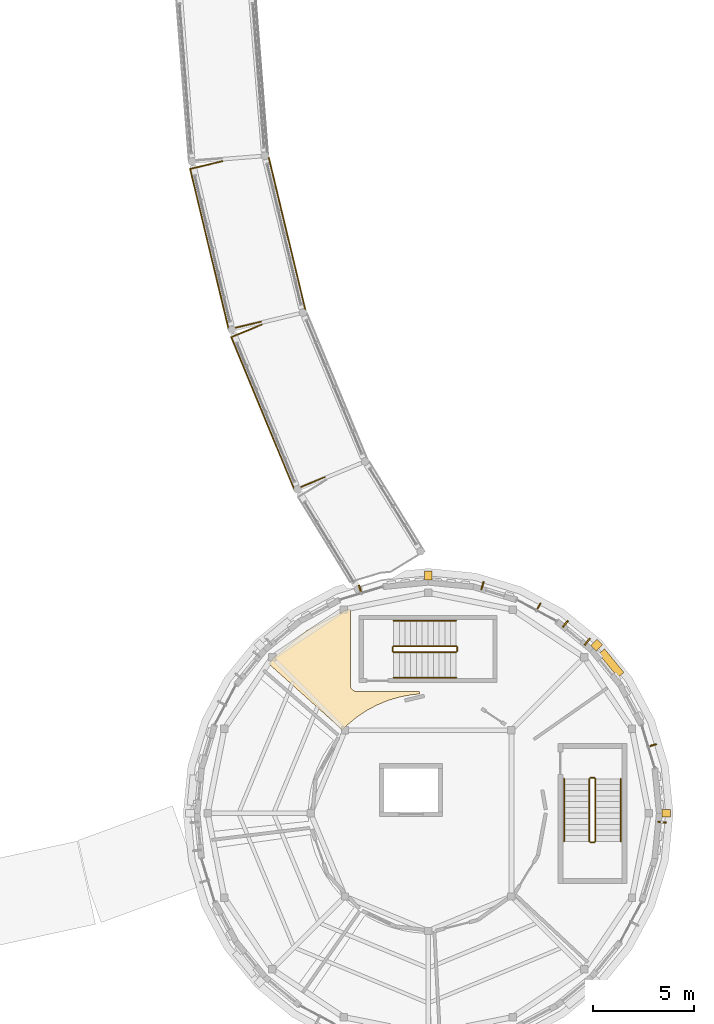
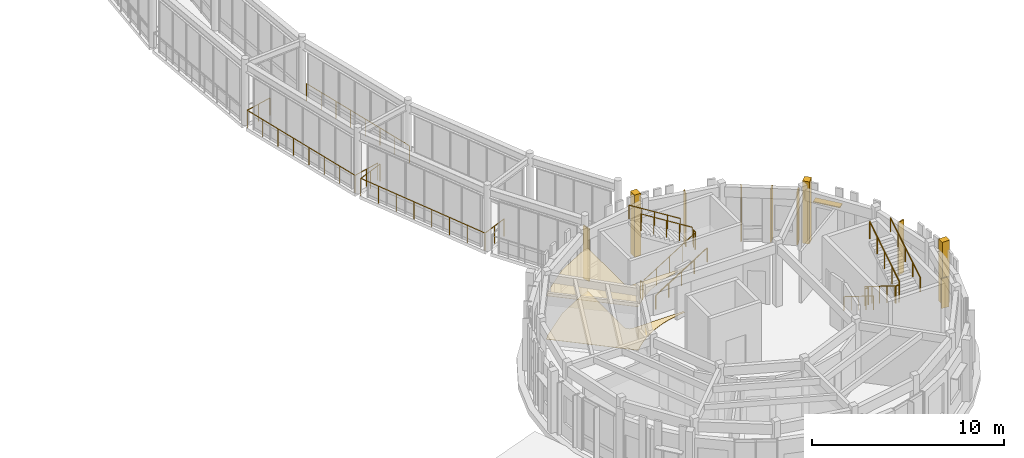
# One storey, part 77 of 80: 15 railings, 8 shading devices, 5 coverings.
"""IFC4 building model written with IfcOpenShell, lengths in metres."""

from ifc_helpers import new_model, si_unit, direction, frame, origin, origin_2d, place, context, subcontext, project, spatial, polyline, rectangle, circle, outline, extrude, material, layer, layer_set, type_object, element, save


model = new_model("IFC4")

# Units and contexts
model_context = context("Model", 3, precision=1e-05, world=origin(), true_north=direction((0.0, 1.0)))
body_context = subcontext(model_context, "Body", "Model", "MODEL_VIEW")
ifc_project = project(units=[si_unit("LENGTHUNIT", "METRE"), si_unit("AREAUNIT", "SQUARE_METRE"), si_unit("VOLUMEUNIT", "CUBIC_METRE"), si_unit("PLANEANGLEUNIT", "RADIAN"), si_unit("MASSUNIT", "GRAM", prefix="KILO")], contexts=[model_context])

# Site, building, storey
site_placement = place(None, origin())
site = spatial("IfcSite", under=ifc_project, at=site_placement, CompositionType="ELEMENT")
building_placement = place(site_placement, origin())
building = spatial("IfcBuilding", under=site, at=building_placement, Name="Aldenvaro Health Centre", CompositionType="ELEMENT")
storey_placement = place(building_placement, frame((0.0, 0.0, 4.550048828125)))
storey = spatial("IfcBuildingStorey", under=building, at=storey_placement, Name="L01", CompositionType="ELEMENT", Elevation=4.550048828125)

# Coverings
ifc_material_1 = material(Name="Antimicrobial Mineral Fibre Ceiling")
ifc_layer_1 = layer(ifc_material_1, 0.01806640625, Name="Antimicrobial Mineral Fibre Ceiling")
ifc_layer_set_1 = layer_set([ifc_layer_1], Name="Antimicrobial Mineral Fibre Ceiling")
covering_type_1 = type_object("IfcCoveringType", Name="COV-CLG-ACT18", PredefinedType="CEILING", material=ifc_layer_set_1)
covering_1_placement = place(storey_placement, frame((0.0, 0.0, 2.75)))
element("IfcCovering", 1, at=covering_1_placement, inside=storey, type_object=covering_type_1, Name="D6-L01-R01 Suspended Ceiling", PredefinedType="CEILING", context=body_context, shape_type="SweptSolid", body=[
    extrude(outline(polyline([(153.722900390625, 24.35791015625), (153.698974609375, 24.35498046875), (153.136962890625, 24.25), (153.114013671875, 24.2451171875), (152.56494140625, 24.083984375), (152.54296875, 24.075927734375), (152.012939453125, 23.861083984375), (151.990966796875, 23.85107421875), (151.487060546875, 23.583984375), (151.466064453125, 23.571044921875), (150.989990234375, 23.2548828125), (150.970947265625, 23.239990234375), (150.530029296875, 22.876953125), (150.511962890625, 22.861083984375), (150.27001953125, 22.617919921875), (146.631103515625, 25.883056640625), (146.85009765625, 26.14990234375), (148.489990234375, 27.49609375), (150.360107421875, 28.4951171875), (150.659912109375, 28.5859375), (150.659912109375, 24.830078125), (150.659912109375, 24.818115234375), (150.660888671875, 24.81005859375), (150.6630859375, 24.787109375), (150.6640625, 24.779052734375), (150.6689453125, 24.756103515625), (150.6708984375, 24.748046875), (150.677001953125, 24.72607421875), (150.679931640625, 24.718994140625), (150.68896484375, 24.697021484375), (150.69189453125, 24.68994140625), (150.7041015625, 24.6689453125), (150.7080078125, 24.662109375), (150.720947265625, 24.64306640625), (150.72509765625, 24.635986328125), (150.739990234375, 24.617919921875), (150.74609375, 24.612060546875), (150.761962890625, 24.595947265625), (150.76806640625, 24.590087890625), (150.785888671875, 24.574951171875), (150.79296875, 24.571044921875), (150.81201171875, 24.55810546875), (150.819091796875, 24.553955078125), (150.840087890625, 24.5419921875), (150.846923828125, 24.5390625), (150.868896484375, 24.530029296875), (150.8759765625, 24.527099609375), (150.89794921875, 24.52099609375), (150.906005859375, 24.51904296875), (150.928955078125, 24.513916015625), (150.93701171875, 24.512939453125), (150.9599609375, 24.510986328125), (150.968017578125, 24.510009765625), (150.97998046875, 24.510009765625), (154.06005859375, 24.510009765625), (154.06494140625, 24.386962890625), (153.722900390625, 24.35791015625)])), origin(), (0.0, 0.0, 1.0), 0.01806640625),
])
ifc_material_2 = material(Name="Honed Sonoran Buff Limestone", Category="masonry")
ifc_layer_2 = layer(ifc_material_2, 0.280029296875, Name="Honed Sonoran Buff Limestone", Category="masonry")
ifc_layer_set_2 = layer_set([ifc_layer_2], Name="Honed Sonoran Buff Limestone")
covering_type_2 = type_object("IfcCoveringType", Name="COV-CRN-STN", PredefinedType="CLADDING", material=ifc_layer_set_2)
for number, where, z_axis, x_axis, name in (
    (2, (166.239990234375, 18.5, -0.00048828125), (0.0, 0.0, 1.0), (1.0, 0.0, 0.0), "D6 L01 Engaged Classical Limestone Pilaster 01"),
    (3, (154.5, 30.239990234375, -0.00048828125), (0.0, 0.0, 1.0), (0.0, 1.0, 0.0), "D6 L01 Engaged Classical Limestone Pilaster 13"),
    (4, (162.801025390625, 26.801025390625, -0.00048828125), (0.0, 0.0, 1.0), (0.707106781187, 0.707106781187, 0.0), "D6 L01 Engaged Classical Limestone Pilaster 15"),
):
    element("IfcCovering", number, at=place(storey_placement, frame(where, z_axis=z_axis, x_axis=x_axis)), inside=storey, type_object=covering_type_2, Name=name, PredefinedType="CLADDING", context=body_context, shape_type="SweptSolid", body=[
        extrude(rectangle(XDim=0.43994140625, YDim=0.3798828125, at=origin_2d()), origin(), (0.0, 0.0, 1.0), 3.955078125),
    ])
ifc_material_3 = material(Name="Seamless Homogeneous Sheet Vinyl")
ifc_layer_3 = layer(ifc_material_3, 0.013916015625, Name="Seamless Homogeneous Sheet Vinyl")
ifc_layer_set_3 = layer_set([ifc_layer_3], Name="Seamless Homogeneous Sheet Vinyl")
covering_type_3 = type_object("IfcCoveringType", Name="COV-FLR-VNL14", PredefinedType="FLOORING", material=ifc_layer_set_3)
covering_2_placement = place(storey_placement, origin())
element("IfcCovering", 5, at=covering_2_placement, inside=storey, type_object=covering_type_3, Name="D6-L01-R01 Flooring", PredefinedType="FLOORING", context=body_context, shape_type="SweptSolid", body=[
    extrude(outline(polyline([(153.722900390625, 24.35791015625), (153.698974609375, 24.35498046875), (153.136962890625, 24.25), (153.114013671875, 24.2451171875), (152.56494140625, 24.083984375), (152.54296875, 24.075927734375), (152.012939453125, 23.861083984375), (151.990966796875, 23.85107421875), (151.487060546875, 23.583984375), (151.466064453125, 23.571044921875), (150.989990234375, 23.2548828125), (150.970947265625, 23.239990234375), (150.530029296875, 22.876953125), (150.511962890625, 22.861083984375), (150.27001953125, 22.617919921875), (146.631103515625, 25.883056640625), (146.85009765625, 26.14990234375), (148.489990234375, 27.49609375), (150.360107421875, 28.4951171875), (150.659912109375, 28.5859375), (150.659912109375, 24.830078125), (150.659912109375, 24.818115234375), (150.660888671875, 24.81005859375), (150.6630859375, 24.787109375), (150.6640625, 24.779052734375), (150.6689453125, 24.756103515625), (150.6708984375, 24.748046875), (150.677001953125, 24.72607421875), (150.679931640625, 24.718994140625), (150.68896484375, 24.697021484375), (150.69189453125, 24.68994140625), (150.7041015625, 24.6689453125), (150.7080078125, 24.662109375), (150.720947265625, 24.64306640625), (150.72509765625, 24.635986328125), (150.739990234375, 24.617919921875), (150.74609375, 24.612060546875), (150.761962890625, 24.595947265625), (150.76806640625, 24.590087890625), (150.785888671875, 24.574951171875), (150.79296875, 24.571044921875), (150.81201171875, 24.55810546875), (150.819091796875, 24.553955078125), (150.840087890625, 24.5419921875), (150.846923828125, 24.5390625), (150.868896484375, 24.530029296875), (150.8759765625, 24.527099609375), (150.89794921875, 24.52099609375), (150.906005859375, 24.51904296875), (150.928955078125, 24.513916015625), (150.93701171875, 24.512939453125), (150.9599609375, 24.510986328125), (150.968017578125, 24.510009765625), (150.97998046875, 24.510009765625), (154.06005859375, 24.510009765625), (154.06494140625, 24.386962890625), (153.722900390625, 24.35791015625)])), origin(), (0.0, 0.0, 1.0), 0.013916015625),
])

# Railings
ifc_material_4 = material(Name="Painted Architectural Steel", Category="steel")
railing_type_1 = type_object("IfcRailingType", Name="RL-BAL-110", PredefinedType="GUARDRAIL", material=ifc_material_4)
railing_1_placement = place(storey_placement, frame((146.2451171875, 42.75, 0.0)))
element("IfcRailing", 6, at=railing_1_placement, inside=storey, type_object=railing_type_1, Name="East Curved Garden Colonnade Arc 6 L01 edge guardrail 1", PredefinedType="GUARDRAIL", context=body_context, shape_type="SweptSolid", body=[
    extrude(circle(Radius=0.02392578125, at=origin_2d()), frame((0.0, 0.0, 1.09619140625), z_axis=(-0.972392746849, -0.233350264358, 0.0), x_axis=(0.233350264358, -0.972392746849, 0.0)), (0.0, 0.0, 1.0), 1.6279296875),
    extrude(circle(Radius=0.02392578125, at=origin_2d()), frame((-1.5830078125, -0.3798828125, 1.09619140625), z_axis=(-0.233610086319, 0.972330359276, 0.0), x_axis=(-0.972330359276, -0.233610086319, 0.0)), (0.0, 0.0, 1.0), 8.137939453125),
    extrude(circle(Radius=0.02392578125, at=origin_2d()), frame((-3.484130859375, 7.532958984375, 1.09619140625), z_axis=(0.972358708738, 0.233492058838, 0.0), x_axis=(-0.233492058838, 0.972358708738, 0.0)), (0.0, 0.0, 1.0), 1.6279296875),
    extrude(circle(Radius=0.02099609375, at=origin_2d()), origin(), (0.0, 0.0, 1.0), 1.072021484375),
    extrude(circle(Radius=0.02099609375, at=origin_2d()), frame((-0.79150390625, -0.18994140625, 0.0)), (0.0, 0.0, 1.0), 1.072021484375),
    extrude(circle(Radius=0.02099609375, at=origin_2d()), frame((-1.5830078125, -0.3798828125, 0.0)), (0.0, 0.0, 1.0), 1.072021484375),
    extrude(circle(Radius=0.02099609375, at=origin_2d()), frame((-1.8544921875, 0.75048828125, 0.0)), (0.0, 0.0, 1.0), 1.072021484375),
    extrude(circle(Radius=0.02099609375, at=origin_2d()), frame((-2.126220703125, 1.880859375, 0.0)), (0.0, 0.0, 1.0), 1.072021484375),
    extrude(circle(Radius=0.02099609375, at=origin_2d()), frame((-2.397705078125, 3.01123046875, 0.0)), (0.0, 0.0, 1.0), 1.072021484375),
    extrude(circle(Radius=0.02099609375, at=origin_2d()), frame((-2.66943359375, 4.141845703125, 0.0)), (0.0, 0.0, 1.0), 1.072021484375),
    extrude(circle(Radius=0.02099609375, at=origin_2d()), frame((-2.94091796875, 5.272216796875, 0.0)), (0.0, 0.0, 1.0), 1.072021484375),
    extrude(circle(Radius=0.02099609375, at=origin_2d()), frame((-3.212646484375, 6.402587890625, 0.0)), (0.0, 0.0, 1.0), 1.072021484375),
    extrude(circle(Radius=0.02099609375, at=origin_2d()), frame((-3.484130859375, 7.532958984375, 0.0)), (0.0, 0.0, 1.0), 1.072021484375),
    extrude(circle(Radius=0.02099609375, at=origin_2d()), frame((-2.692626953125, 7.72314453125, 0.0)), (0.0, 0.0, 1.0), 1.072021484375),
    extrude(circle(Radius=0.02099609375, at=origin_2d()), frame((-1.901123046875, 7.9130859375, 0.0)), (0.0, 0.0, 1.0), 1.072021484375),
])
railing_2_placement = place(storey_placement, frame((146.637939453125, 50.843994140625, 0.0)))
element("IfcRailing", 7, at=railing_2_placement, inside=storey, type_object=railing_type_1, Name="East Curved Garden Colonnade Arc 6 L01 edge guardrail 2", PredefinedType="GUARDRAIL", context=body_context, shape_type="SweptSolid", body=[
    extrude(circle(Radius=0.02392578125, at=origin_2d()), frame((0.0, 0.0, 1.09619140625), z_axis=(0.233496563425, -0.972357627043, 0.0), x_axis=(0.972357627043, 0.233496563425, 0.0)), (0.0, 0.0, 1.0), 7.768798828125),
    extrude(circle(Radius=0.02099609375, at=origin_2d()), origin(), (0.0, 0.0, 1.0), 1.072021484375),
    extrude(circle(Radius=0.02099609375, at=origin_2d()), frame((0.259033203125, -1.0791015625, 0.0)), (0.0, 0.0, 1.0), 1.072021484375),
    extrude(circle(Radius=0.02099609375, at=origin_2d()), frame((0.518310546875, -2.158203125, 0.0)), (0.0, 0.0, 1.0), 1.072021484375),
    extrude(circle(Radius=0.02099609375, at=origin_2d()), frame((0.77734375, -3.2373046875, 0.0)), (0.0, 0.0, 1.0), 1.072021484375),
    extrude(circle(Radius=0.02099609375, at=origin_2d()), frame((1.03662109375, -4.316650390625, 0.0)), (0.0, 0.0, 1.0), 1.072021484375),
    extrude(circle(Radius=0.02099609375, at=origin_2d()), frame((1.295654296875, -5.395751953125, 0.0)), (0.0, 0.0, 1.0), 1.072021484375),
    extrude(circle(Radius=0.02099609375, at=origin_2d()), frame((1.554931640625, -6.474853515625, 0.0)), (0.0, 0.0, 1.0), 1.072021484375),
    extrude(circle(Radius=0.02099609375, at=origin_2d()), frame((1.81396484375, -7.553955078125, 0.0)), (0.0, 0.0, 1.0), 1.072021484375),
])
railing_3_placement = place(storey_placement, frame((149.40087890625, 35.0859375, 0.0)))
element("IfcRailing", 8, at=railing_3_placement, inside=storey, type_object=railing_type_1, Name="East Curved Garden Colonnade Arc 7 L01 edge guardrail 1", PredefinedType="GUARDRAIL", context=body_context, shape_type="SweptSolid", body=[
    extrude(circle(Radius=0.02392578125, at=origin_2d()), frame((0.0, 0.0, 1.09619140625), z_axis=(-0.923982018039, -0.382435916646, 0.0), x_axis=(0.382435916646, -0.923982018039, 0.0)), (0.0, 0.0, 1.0), 1.623291015625),
    extrude(circle(Radius=0.02392578125, at=origin_2d()), frame((-1.5, -0.620849609375, 1.09619140625), z_axis=(-0.382565498245, 0.923928373605, 0.0), x_axis=(-0.923928373605, -0.382565498245, 0.0)), (0.0, 0.0, 1.0), 8.13916015625),
    extrude(circle(Radius=0.02392578125, at=origin_2d()), frame((-4.61376953125, 6.899169921875, 1.09619140625), z_axis=(0.924120974199, 0.382100019689, 0.0), x_axis=(-0.382100019689, 0.924120974199, 0.0)), (0.0, 0.0, 1.0), 1.62744140625),
    extrude(circle(Radius=0.02099609375, at=origin_2d()), origin(), (0.0, 0.0, 1.0), 1.072021484375),
    extrude(circle(Radius=0.02099609375, at=origin_2d()), frame((-0.75, -0.310546875, 0.0)), (0.0, 0.0, 1.0), 1.072021484375),
    extrude(circle(Radius=0.02099609375, at=origin_2d()), frame((-1.5, -0.620849609375, 0.0)), (0.0, 0.0, 1.0), 1.072021484375),
    extrude(circle(Radius=0.02099609375, at=origin_2d()), frame((-1.94482421875, 0.453369140625, 0.0)), (0.0, 0.0, 1.0), 1.072021484375),
    extrude(circle(Radius=0.02099609375, at=origin_2d()), frame((-2.3896484375, 1.52783203125, 0.0)), (0.0, 0.0, 1.0), 1.072021484375),
    extrude(circle(Radius=0.02099609375, at=origin_2d()), frame((-2.83447265625, 2.60205078125, 0.0)), (0.0, 0.0, 1.0), 1.072021484375),
    extrude(circle(Radius=0.02099609375, at=origin_2d()), frame((-3.279296875, 3.67626953125, 0.0)), (0.0, 0.0, 1.0), 1.072021484375),
    extrude(circle(Radius=0.02099609375, at=origin_2d()), frame((-3.72412109375, 4.75048828125, 0.0)), (0.0, 0.0, 1.0), 1.072021484375),
    extrude(circle(Radius=0.02099609375, at=origin_2d()), frame((-4.1689453125, 5.824951171875, 0.0)), (0.0, 0.0, 1.0), 1.072021484375),
    extrude(circle(Radius=0.02099609375, at=origin_2d()), frame((-4.61376953125, 6.899169921875, 0.0)), (0.0, 0.0, 1.0), 1.072021484375),
    extrude(circle(Radius=0.02099609375, at=origin_2d()), frame((-3.86181640625, 7.2099609375, 0.0)), (0.0, 0.0, 1.0), 1.072021484375),
    extrude(circle(Radius=0.02099609375, at=origin_2d()), frame((-3.10986328125, 7.52099609375, 0.0)), (0.0, 0.0, 1.0), 1.072021484375),
])
railing_type_2 = type_object("IfcRailingType", Name="RL-BAL-INT", PredefinedType="BALUSTRADE", material=ifc_material_4)
railing_4_placement = place(storey_placement, frame((162.449951171875, 20.199951171875, 0.175048828125)))
element("IfcRailing", 9, at=railing_4_placement, inside=storey, type_object=railing_type_2, Name="L01 ST-11 stair guard 1", PredefinedType="BALUSTRADE", context=body_context, shape_type="SweptSolid", body=[
    extrude(circle(Radius=0.02392578125, at=origin_2d()), frame((0.0, 0.0, 1.076171875), z_axis=(0.0, -0.848009633417, 0.529980812513), x_axis=(1.0, 0.0, 0.0)), (0.0, 0.0, 1.0), 3.6318359375),
    extrude(circle(Radius=0.02099609375, at=origin_2d()), origin(), (0.0, 0.0, 1.0), 1.052001953125),
    extrude(circle(Radius=0.02099609375, at=origin_2d()), frame((0.0, -0.77001953125, 0.481201171875)), (0.0, 0.0, 1.0), 1.052001953125),
    extrude(circle(Radius=0.02099609375, at=origin_2d()), frame((0.0, -1.5400390625, 0.96240234375)), (0.0, 0.0, 1.0), 1.052001953125),
    extrude(circle(Radius=0.02099609375, at=origin_2d()), frame((0.0, -2.309814453125, 1.443603515625)), (0.0, 0.0, 1.0), 1.052001953125),
    extrude(circle(Radius=0.02099609375, at=origin_2d()), frame((0.0, -3.079833984375, 1.9248046875)), (0.0, 0.0, 1.0), 1.052001953125),
])
railing_5_placement = place(storey_placement, frame((162.5, 17.070068359375, 2.099853515625)))
element("IfcRailing", 10, at=railing_5_placement, inside=storey, type_object=railing_type_2, Name="L01 ST-11 stair guard 2", PredefinedType="BALUSTRADE", context=body_context, shape_type="SweptSolid", body=[
    extrude(circle(Radius=0.02392578125, at=origin_2d()), frame((0.0, 0.0, 1.076171875), z_axis=(1.0, 0.0, 0.0), x_axis=(0.0, 1.0, 0.0)), (0.0, 0.0, 1.0), 0.199951171875),
    extrude(circle(Radius=0.02099609375, at=origin_2d()), origin(), (0.0, 0.0, 1.0), 1.052001953125),
    extrude(circle(Radius=0.02099609375, at=origin_2d()), frame((0.199951171875, 0.0, 0.0)), (0.0, 0.0, 1.0), 1.052001953125),
])
railing_6_placement = place(storey_placement, frame((162.75, 17.1201171875, 2.27490234375)))
element("IfcRailing", 11, at=railing_6_placement, inside=storey, type_object=railing_type_2, Name="L01 ST-11 stair guard 3", PredefinedType="BALUSTRADE", context=body_context, shape_type="SweptSolid", body=[
    extrude(circle(Radius=0.02392578125, at=origin_2d()), frame((0.0, 0.0, 1.076171875), z_axis=(0.0, 0.847979421464, 0.530029150871), x_axis=(-1.0, 0.0, 0.0)), (0.0, 0.0, 1.0), 3.632080078125),
    extrude(circle(Radius=0.02099609375, at=origin_2d()), origin(), (0.0, 0.0, 1.0), 1.052001953125),
    extrude(circle(Radius=0.02099609375, at=origin_2d()), frame((0.0, 0.77001953125, 0.481201171875)), (0.0, 0.0, 1.0), 1.052001953125),
    extrude(circle(Radius=0.02099609375, at=origin_2d()), frame((0.0, 1.5400390625, 0.96240234375)), (0.0, 0.0, 1.0), 1.052001953125),
    extrude(circle(Radius=0.02099609375, at=origin_2d()), frame((0.0, 2.309814453125, 1.44384765625)), (0.0, 0.0, 1.0), 1.052001953125),
    extrude(circle(Radius=0.02099609375, at=origin_2d()), frame((0.0, 3.079833984375, 1.925048828125)), (0.0, 0.0, 1.0), 1.052001953125),
])
railing_7_placement = place(storey_placement, frame((162.5, 20.25, 0.0)))
element("IfcRailing", 12, at=railing_7_placement, inside=storey, type_object=railing_type_2, Name="L01 ST-11 stair guard 4", PredefinedType="BALUSTRADE", context=body_context, shape_type="SweptSolid", body=[
    extrude(circle(Radius=0.02392578125, at=origin_2d()), frame((0.0, 0.0, 1.076171875), z_axis=(1.0, 0.0, 0.0), x_axis=(0.0, 1.0, 0.0)), (0.0, 0.0, 1.0), 0.199951171875),
    extrude(circle(Radius=0.02099609375, at=origin_2d()), origin(), (0.0, 0.0, 1.0), 1.052001953125),
    extrude(circle(Radius=0.02099609375, at=origin_2d()), frame((0.199951171875, 0.0, 0.0)), (0.0, 0.0, 1.0), 1.052001953125),
])
railing_8_placement = place(storey_placement, frame((152.800048828125, 26.449951171875, 0.175048828125)))
element("IfcRailing", 13, at=railing_8_placement, inside=storey, type_object=railing_type_2, Name="L01 ST-12 stair guard 1", PredefinedType="BALUSTRADE", context=body_context, shape_type="SweptSolid", body=[
    extrude(circle(Radius=0.02392578125, at=origin_2d()), frame((0.0, 0.0, 1.076171875), z_axis=(0.848009633417, 0.0, 0.529980812513), x_axis=(0.0, 1.0, 0.0)), (0.0, 0.0, 1.0), 3.6318359375),
    extrude(circle(Radius=0.02099609375, at=origin_2d()), origin(), (0.0, 0.0, 1.0), 1.052001953125),
    extrude(circle(Radius=0.02099609375, at=origin_2d()), frame((0.77001953125, 0.0, 0.481201171875)), (0.0, 0.0, 1.0), 1.052001953125),
    extrude(circle(Radius=0.02099609375, at=origin_2d()), frame((1.5400390625, 0.0, 0.96240234375)), (0.0, 0.0, 1.0), 1.052001953125),
    extrude(circle(Radius=0.02099609375, at=origin_2d()), frame((2.309814453125, 0.0, 1.443603515625)), (0.0, 0.0, 1.0), 1.052001953125),
    extrude(circle(Radius=0.02099609375, at=origin_2d()), frame((3.079833984375, 0.0, 1.9248046875)), (0.0, 0.0, 1.0), 1.052001953125),
])
railing_9_placement = place(storey_placement, frame((155.929931640625, 26.5, 2.099853515625)))
element("IfcRailing", 14, at=railing_9_placement, inside=storey, type_object=railing_type_2, Name="L01 ST-12 stair guard 2", PredefinedType="BALUSTRADE", context=body_context, shape_type="SweptSolid", body=[
    extrude(circle(Radius=0.02392578125, at=origin_2d()), frame((0.0, 0.0, 1.076171875), z_axis=(0.0, 1.0, 0.0), x_axis=(-1.0, 0.0, 0.0)), (0.0, 0.0, 1.0), 0.199951171875),
    extrude(circle(Radius=0.02099609375, at=origin_2d()), origin(), (0.0, 0.0, 1.0), 1.052001953125),
    extrude(circle(Radius=0.02099609375, at=origin_2d()), frame((0.0, 0.199951171875, 0.0)), (0.0, 0.0, 1.0), 1.052001953125),
])
railing_10_placement = place(storey_placement, frame((155.8798828125, 26.75, 2.27490234375)))
element("IfcRailing", 15, at=railing_10_placement, inside=storey, type_object=railing_type_2, Name="L01 ST-12 stair guard 3", PredefinedType="BALUSTRADE", context=body_context, shape_type="SweptSolid", body=[
    extrude(circle(Radius=0.02392578125, at=origin_2d()), frame((0.0, 0.0, 1.076171875), z_axis=(-0.847979421464, 0.0, 0.530029150871), x_axis=(0.0, -1.0, 0.0)), (0.0, 0.0, 1.0), 3.632080078125),
    extrude(circle(Radius=0.02099609375, at=origin_2d()), origin(), (0.0, 0.0, 1.0), 1.052001953125),
    extrude(circle(Radius=0.02099609375, at=origin_2d()), frame((-0.77001953125, 0.0, 0.481201171875)), (0.0, 0.0, 1.0), 1.052001953125),
    extrude(circle(Radius=0.02099609375, at=origin_2d()), frame((-1.5400390625, 0.0, 0.96240234375)), (0.0, 0.0, 1.0), 1.052001953125),
    extrude(circle(Radius=0.02099609375, at=origin_2d()), frame((-2.309814453125, 0.0, 1.44384765625)), (0.0, 0.0, 1.0), 1.052001953125),
    extrude(circle(Radius=0.02099609375, at=origin_2d()), frame((-3.079833984375, 0.0, 1.925048828125)), (0.0, 0.0, 1.0), 1.052001953125),
])
railing_11_placement = place(storey_placement, frame((152.75, 26.5, 0.0)))
element("IfcRailing", 16, at=railing_11_placement, inside=storey, type_object=railing_type_2, Name="L01 ST-12 stair guard 4", PredefinedType="BALUSTRADE", context=body_context, shape_type="SweptSolid", body=[
    extrude(circle(Radius=0.02392578125, at=origin_2d()), frame((0.0, 0.0, 1.076171875), z_axis=(0.0, 1.0, 0.0), x_axis=(-1.0, 0.0, 0.0)), (0.0, 0.0, 1.0), 0.199951171875),
    extrude(circle(Radius=0.02099609375, at=origin_2d()), origin(), (0.0, 0.0, 1.0), 1.052001953125),
    extrude(circle(Radius=0.02099609375, at=origin_2d()), frame((0.0, 0.199951171875, 0.0)), (0.0, 0.0, 1.0), 1.052001953125),
])
railing_type_3 = type_object("IfcRailingType", Name="RL-HND-INT", PredefinedType="HANDRAIL", material=ifc_material_4)
railing_12_placement = place(storey_placement, frame((161.199951171875, 20.199951171875, 0.175048828125)))
element("IfcRailing", 17, at=railing_12_placement, inside=storey, type_object=railing_type_3, Name="L01 ST-11 stair handrail 1", PredefinedType="HANDRAIL", context=body_context, shape_type="SweptSolid", body=[
    extrude(circle(Radius=0.02392578125, at=origin_2d()), frame((0.0, 0.0, 0.8759765625), z_axis=(0.0, -0.848009633417, 0.529980812513), x_axis=(1.0, 0.0, 0.0)), (0.0, 0.0, 1.0), 3.6318359375),
    extrude(circle(Radius=0.02099609375, at=origin_2d()), origin(), (0.0, 0.0, 1.0), 0.851806640625),
    extrude(circle(Radius=0.02099609375, at=origin_2d()), frame((0.0, -0.77001953125, 0.481201171875)), (0.0, 0.0, 1.0), 0.851806640625),
    extrude(circle(Radius=0.02099609375, at=origin_2d()), frame((0.0, -1.5400390625, 0.96240234375)), (0.0, 0.0, 1.0), 0.851806640625),
    extrude(circle(Radius=0.02099609375, at=origin_2d()), frame((0.0, -2.309814453125, 1.443603515625)), (0.0, 0.0, 1.0), 0.851806640625),
    extrude(circle(Radius=0.02099609375, at=origin_2d()), frame((0.0, -3.079833984375, 1.9248046875)), (0.0, 0.0, 1.0), 0.851806640625),
])
railing_13_placement = place(storey_placement, frame((164.0, 17.1201171875, 2.27490234375)))
element("IfcRailing", 18, at=railing_13_placement, inside=storey, type_object=railing_type_3, Name="L01 ST-11 stair handrail 2", PredefinedType="HANDRAIL", context=body_context, shape_type="SweptSolid", body=[
    extrude(circle(Radius=0.02392578125, at=origin_2d()), frame((0.0, 0.0, 0.8759765625), z_axis=(0.0, 0.847979421464, 0.530029150871), x_axis=(-1.0, 0.0, 0.0)), (0.0, 0.0, 1.0), 3.632080078125),
    extrude(circle(Radius=0.02099609375, at=origin_2d()), origin(), (0.0, 0.0, 1.0), 0.851806640625),
    extrude(circle(Radius=0.02099609375, at=origin_2d()), frame((0.0, 0.77001953125, 0.481201171875)), (0.0, 0.0, 1.0), 0.851806640625),
    extrude(circle(Radius=0.02099609375, at=origin_2d()), frame((0.0, 1.5400390625, 0.96240234375)), (0.0, 0.0, 1.0), 0.851806640625),
    extrude(circle(Radius=0.02099609375, at=origin_2d()), frame((0.0, 2.309814453125, 1.44384765625)), (0.0, 0.0, 1.0), 0.851806640625),
    extrude(circle(Radius=0.02099609375, at=origin_2d()), frame((0.0, 3.079833984375, 1.925048828125)), (0.0, 0.0, 1.0), 0.851806640625),
])
railing_14_placement = place(storey_placement, frame((152.800048828125, 25.199951171875, 0.175048828125)))
element("IfcRailing", 19, at=railing_14_placement, inside=storey, type_object=railing_type_3, Name="L01 ST-12 stair handrail 1", PredefinedType="HANDRAIL", context=body_context, shape_type="SweptSolid", body=[
    extrude(circle(Radius=0.02392578125, at=origin_2d()), frame((0.0, 0.0, 0.8759765625), z_axis=(0.848009633417, 0.0, 0.529980812513), x_axis=(0.0, 1.0, 0.0)), (0.0, 0.0, 1.0), 3.6318359375),
    extrude(circle(Radius=0.02099609375, at=origin_2d()), origin(), (0.0, 0.0, 1.0), 0.851806640625),
    extrude(circle(Radius=0.02099609375, at=origin_2d()), frame((0.77001953125, 0.0, 0.481201171875)), (0.0, 0.0, 1.0), 0.851806640625),
    extrude(circle(Radius=0.02099609375, at=origin_2d()), frame((1.5400390625, 0.0, 0.96240234375)), (0.0, 0.0, 1.0), 0.851806640625),
    extrude(circle(Radius=0.02099609375, at=origin_2d()), frame((2.309814453125, 0.0, 1.443603515625)), (0.0, 0.0, 1.0), 0.851806640625),
    extrude(circle(Radius=0.02099609375, at=origin_2d()), frame((3.079833984375, 0.0, 1.9248046875)), (0.0, 0.0, 1.0), 0.851806640625),
])
railing_15_placement = place(storey_placement, frame((155.8798828125, 28.0, 2.27490234375)))
element("IfcRailing", 20, at=railing_15_placement, inside=storey, type_object=railing_type_3, Name="L01 ST-12 stair handrail 2", PredefinedType="HANDRAIL", context=body_context, shape_type="SweptSolid", body=[
    extrude(circle(Radius=0.02392578125, at=origin_2d()), frame((0.0, 0.0, 0.8759765625), z_axis=(-0.847979421464, 0.0, 0.530029150871), x_axis=(0.0, -1.0, 0.0)), (0.0, 0.0, 1.0), 3.632080078125),
    extrude(circle(Radius=0.02099609375, at=origin_2d()), origin(), (0.0, 0.0, 1.0), 0.851806640625),
    extrude(circle(Radius=0.02099609375, at=origin_2d()), frame((-0.77001953125, 0.0, 0.481201171875)), (0.0, 0.0, 1.0), 0.851806640625),
    extrude(circle(Radius=0.02099609375, at=origin_2d()), frame((-1.5400390625, 0.0, 0.96240234375)), (0.0, 0.0, 1.0), 0.851806640625),
    extrude(circle(Radius=0.02099609375, at=origin_2d()), frame((-2.309814453125, 0.0, 1.44384765625)), (0.0, 0.0, 1.0), 0.851806640625),
    extrude(circle(Radius=0.02099609375, at=origin_2d()), frame((-3.079833984375, 0.0, 1.925048828125)), (0.0, 0.0, 1.0), 0.851806640625),
])

# Shading devices
ifc_material_5 = material(Name="Douglas Fir Exterior Glulam GL28h", Category="wood")
shading_device_type_1 = type_object("IfcShadingDeviceType", Name="SHD-FIN-190", PredefinedType="USERDEFINED", material=ifc_material_5)
shading_device_1_placement = place(storey_placement, frame((166.032958984375, 18.06494140625, -0.02001953125), z_axis=(0.0, 0.0, 1.0), x_axis=(-0.097997250052, -0.995186685493, 0.0)))
element("IfcShadingDevice", 21, at=shading_device_1_placement, inside=storey, type_object=shading_device_type_1, Name="D6 L01 Douglas fir fin 1.1", ObjectType="FIN", PredefinedType="USERDEFINED", context=body_context, shape_type="SweptSolid", body=[
    extrude(rectangle(XDim=0.06494140625, YDim=0.419921875, at=origin_2d()), origin(), (0.0, 0.0, 1.0), 1.89990234375),
])
shading_device_type_2 = type_object("IfcShadingDeviceType", Name="SHD-FIN-340", PredefinedType="USERDEFINED", material=ifc_material_5)
shading_device_2_placement = place(storey_placement, frame((151.14599609375, 29.556884765625, -0.01953125), z_axis=(0.0, 0.0, 1.0), x_axis=(0.956922756407, 0.290342622208, 0.0)))
element("IfcShadingDevice", 22, at=shading_device_2_placement, inside=storey, type_object=shading_device_type_2, Name="D6 L01 vertical timber fin 23.0", ObjectType="FIN", PredefinedType="USERDEFINED", context=body_context, shape_type="SweptSolid", body=[
    extrude(rectangle(XDim=0.074951171875, YDim=0.419921875, at=origin_2d()), origin(), (0.0, 0.0, 1.0), 3.34912109375),
])
shading_device_type_3 = type_object("IfcShadingDeviceType", Name="SHD-FIN-380", PredefinedType="USERDEFINED", material=ifc_material_5)
for number, where, z_axis, x_axis, name in (
    (23, (161.27001953125, 27.847900390625, -0.01953125), (0.0, 0.0, 1.0), (0.772859503767, -0.634577172169, 0.0), "D6 L01 Douglas fir fin 28.1"),
    (24, (162.346923828125, 26.962890625, -0.01953125), (0.0, 0.0, 1.0), (0.772859503767, -0.634577172169, 0.0), "D6 L01 Douglas fir fin 28.3"),
):
    element("IfcShadingDevice", number, at=place(storey_placement, frame(where, z_axis=z_axis, x_axis=x_axis)), inside=storey, type_object=shading_device_type_3, Name=name, ObjectType="FIN", PredefinedType="USERDEFINED", context=body_context, shape_type="SweptSolid", body=[
        extrude(rectangle(XDim=0.074951171875, YDim=0.419921875, at=origin_2d()), origin(), (0.0, 0.0, 1.0), 3.34912109375),
    ])
shading_device_type_4 = type_object("IfcShadingDeviceType", Name="SHD-FIN-400", PredefinedType="USERDEFINED", material=ifc_material_5)
shading_device_3_placement = place(storey_placement, frame((159.947021484375, 28.69091796875, -0.01953125), z_axis=(0.0, 0.0, 1.0), x_axis=(0.882018256263, -0.471215232797, 0.0)))
element("IfcShadingDevice", 25, at=shading_device_3_placement, inside=storey, type_object=shading_device_type_4, Name="D6 L01 vertical timber fin 27.0", ObjectType="FIN", PredefinedType="USERDEFINED", context=body_context, shape_type="SweptSolid", body=[
    extrude(rectangle(XDim=0.06494140625, YDim=0.419921875, at=origin_2d()), origin(), (0.0, 0.0, 1.0), 3.34912109375),
])
shading_device_type_5 = type_object("IfcShadingDeviceType", Name="SHD-FIN-420", PredefinedType="USERDEFINED", material=ifc_material_5)
shading_device_4_placement = place(storey_placement, frame((157.177001953125, 29.72705078125, -0.01953125), z_axis=(0.0, 0.0, 1.0), x_axis=(0.956922756407, -0.290342622208, 0.0)))
element("IfcShadingDevice", 26, at=shading_device_4_placement, inside=storey, type_object=shading_device_type_5, Name="D6 L01 Douglas fir fin 26.1", ObjectType="FIN", PredefinedType="USERDEFINED", context=body_context, shape_type="SweptSolid", body=[
    extrude(rectangle(XDim=0.06494140625, YDim=0.419921875, at=origin_2d()), origin(), (0.0, 0.0, 1.0), 3.34912109375),
])
shading_device_type_6 = type_object("IfcShadingDeviceType", Name="SHD-FIN-435", PredefinedType="USERDEFINED", material=ifc_material_5)
shading_device_5_placement = place(storey_placement, frame((165.556884765625, 21.85400390625, -0.01953125), z_axis=(0.0, 0.0, 1.0), x_axis=(0.290342622208, -0.956922756407, 0.0)))
element("IfcShadingDevice", 27, at=shading_device_5_placement, inside=storey, type_object=shading_device_type_6, Name="D6 L01 vertical timber fin 31.0", ObjectType="FIN", PredefinedType="USERDEFINED", context=body_context, shape_type="SweptSolid", body=[
    extrude(rectangle(XDim=0.06494140625, YDim=0.419921875, at=origin_2d()), origin(), (0.0, 0.0, 1.0), 3.34912109375),
])
shading_device_type_7 = type_object("IfcShadingDeviceType", Name="SHD-LVR-150", PredefinedType="JALOUSIE", material=ifc_material_5)
shading_device_6_placement = place(storey_placement, frame((163.529052734375, 25.909912109375, 2.70263671875), z_axis=(0.0, 0.0, 1.0), x_axis=(0.634577172169, -0.772859503767, 0.0)))
element("IfcShadingDevice", 28, at=shading_device_6_placement, inside=storey, type_object=shading_device_type_7, Name="D6 L01 horizontal solar louvre 29", PredefinedType="JALOUSIE", context=body_context, shape_type="SweptSolid", body=[
    extrude(rectangle(XDim=1.5, YDim=0.3798828125, at=origin_2d()), origin(), (0.0, 0.0, 1.0), 0.054931640625),
])

save(model, "model.ifc")
